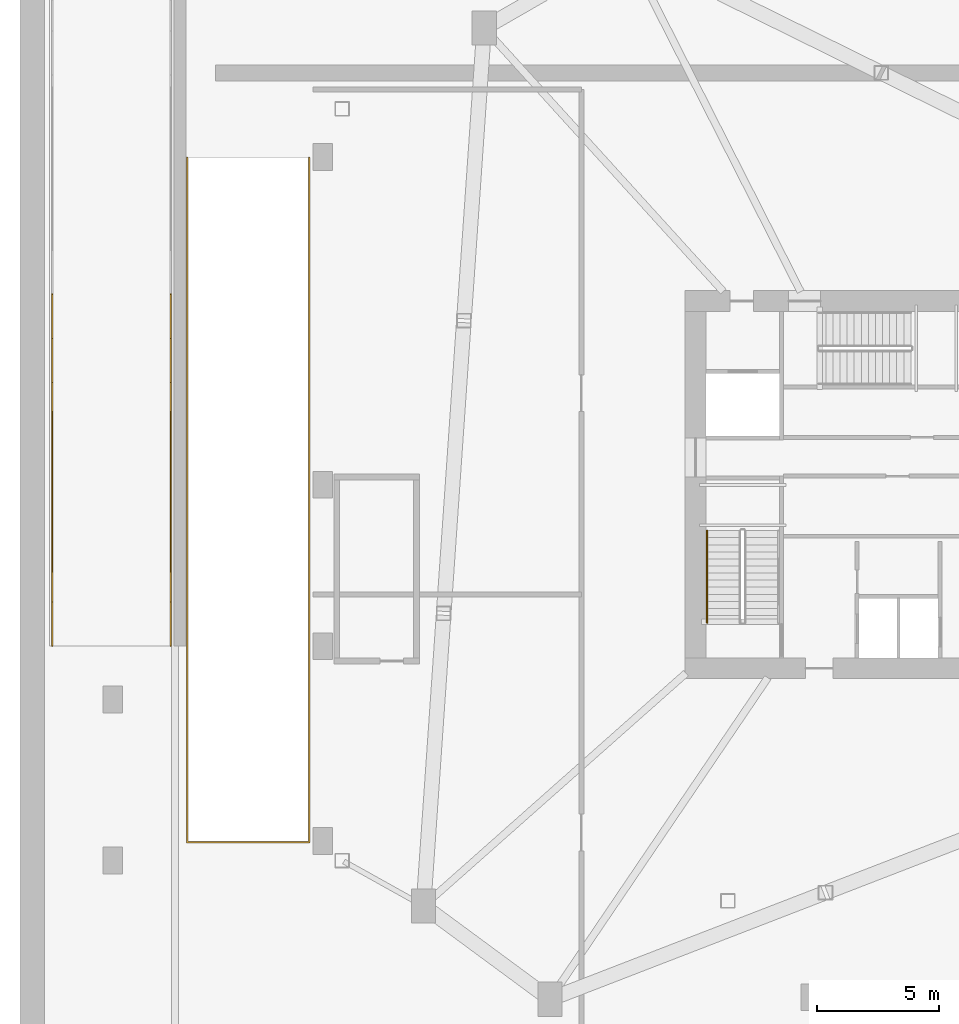
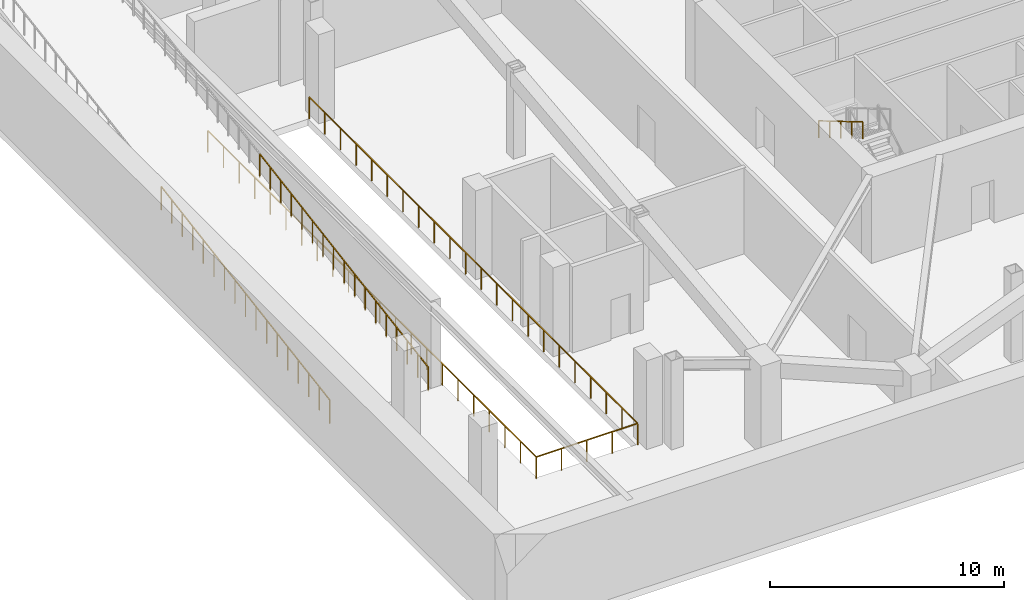
# One storey, part 7 of 9: 18 railings.
"""IFC4 building model written with IfcOpenShell, lengths in metres."""

from ifc_helpers import new_model, si_unit, direction, frame, origin, origin_2d, place, context, subcontext, project, spatial, rectangle, extrude, material, type_object, element, save


model = new_model("IFC4")

# Units and contexts
model_context = context("Model", 3, precision=1e-05, world=origin(), true_north=direction((0.0, 1.0)))
body_context = subcontext(model_context, "Body", "Model", "MODEL_VIEW")
ifc_project = project(units=[si_unit("LENGTHUNIT", "METRE"), si_unit("AREAUNIT", "SQUARE_METRE"), si_unit("VOLUMEUNIT", "CUBIC_METRE"), si_unit("PLANEANGLEUNIT", "RADIAN"), si_unit("MASSUNIT", "GRAM", prefix="KILO")], contexts=[model_context])

# Site, building, storey
site_placement = place(None, origin())
site = spatial("IfcSite", under=ifc_project, at=site_placement, CompositionType="ELEMENT")
building_placement = place(site_placement, origin())
building = spatial("IfcBuilding", under=site, at=building_placement, Name="Olszyna Solenne Hotel", CompositionType="ELEMENT")
storey_placement = place(building_placement, frame((0.0, 0.0, -4.800048828125)))
storey = spatial("IfcBuildingStorey", under=building, at=storey_placement, Name="B01", CompositionType="ELEMENT", Elevation=-4.800048828125)

# Railings
ifc_material = material(Name="Steel S355J2", Category="steel")
railing_type_1 = type_object("IfcRailingType", Name="GR-115", PredefinedType="BALUSTRADE", material=ifc_material)
railing_1_placement = place(storey_placement, frame((8.85009765625, 40.0, 0.0)))
element("IfcRailing", 1, at=railing_1_placement, inside=storey, type_object=railing_type_1, Name="Basement ramp opening guard GR-B01-RMP", PredefinedType="BALUSTRADE", context=body_context, shape_type="SweptSolid", body=[
    extrude(rectangle(XDim=0.048095703125, YDim=0.048095703125, at=origin_2d()), frame((0.0, 0.0, 1.1259765625), z_axis=(0.0, -1.0, 0.0), x_axis=(1.0, 0.0, 0.0)), (0.0, 0.0, 1.0), 28.050048828125),
    extrude(rectangle(XDim=0.048095703125, YDim=0.048095703125, at=origin_2d()), frame((0.0, -28.050048828125, 1.1259765625), z_axis=(1.0, 0.0, 0.0), x_axis=(0.0, 1.0, 0.0)), (0.0, 0.0, 1.0), 5.0),
    extrude(rectangle(XDim=0.048095703125, YDim=0.048095703125, at=origin_2d()), frame((5.0, -28.050048828125, 1.1259765625), z_axis=(0.0, 1.0, 0.0), x_axis=(-1.0, 0.0, 0.0)), (0.0, 0.0, 1.0), 28.050048828125),
    extrude(rectangle(XDim=0.0419921875, YDim=0.0419921875, at=origin_2d()), origin(), (0.0, 0.0, 1.0), 1.101806640625),
    extrude(rectangle(XDim=0.0419921875, YDim=0.0419921875, at=origin_2d()), frame((0.0, -1.335693359375, 0.0)), (0.0, 0.0, 1.0), 1.101806640625),
    extrude(rectangle(XDim=0.0419921875, YDim=0.0419921875, at=origin_2d()), frame((0.0, -2.67138671875, 0.0)), (0.0, 0.0, 1.0), 1.101806640625),
    extrude(rectangle(XDim=0.0419921875, YDim=0.0419921875, at=origin_2d()), frame((0.0, -4.007080078125, 0.0)), (0.0, 0.0, 1.0), 1.101806640625),
    extrude(rectangle(XDim=0.0419921875, YDim=0.0419921875, at=origin_2d()), frame((0.0, -5.3427734375, 0.0)), (0.0, 0.0, 1.0), 1.101806640625),
    extrude(rectangle(XDim=0.0419921875, YDim=0.0419921875, at=origin_2d()), frame((0.0, -6.678466796875, 0.0)), (0.0, 0.0, 1.0), 1.101806640625),
    extrude(rectangle(XDim=0.0419921875, YDim=0.0419921875, at=origin_2d()), frame((0.0, -8.014404296875, 0.0)), (0.0, 0.0, 1.0), 1.101806640625),
    extrude(rectangle(XDim=0.0419921875, YDim=0.0419921875, at=origin_2d()), frame((0.0, -9.35009765625, 0.0)), (0.0, 0.0, 1.0), 1.101806640625),
    extrude(rectangle(XDim=0.0419921875, YDim=0.0419921875, at=origin_2d()), frame((0.0, -10.685791015625, 0.0)), (0.0, 0.0, 1.0), 1.101806640625),
    extrude(rectangle(XDim=0.0419921875, YDim=0.0419921875, at=origin_2d()), frame((0.0, -12.021484375, 0.0)), (0.0, 0.0, 1.0), 1.101806640625),
    extrude(rectangle(XDim=0.0419921875, YDim=0.0419921875, at=origin_2d()), frame((0.0, -13.357177734375, 0.0)), (0.0, 0.0, 1.0), 1.101806640625),
    extrude(rectangle(XDim=0.0419921875, YDim=0.0419921875, at=origin_2d()), frame((0.0, -14.69287109375, 0.0)), (0.0, 0.0, 1.0), 1.101806640625),
    extrude(rectangle(XDim=0.0419921875, YDim=0.0419921875, at=origin_2d()), frame((0.0, -16.028564453125, 0.0)), (0.0, 0.0, 1.0), 1.101806640625),
    extrude(rectangle(XDim=0.0419921875, YDim=0.0419921875, at=origin_2d()), frame((0.0, -17.3642578125, 0.0)), (0.0, 0.0, 1.0), 1.101806640625),
    extrude(rectangle(XDim=0.0419921875, YDim=0.0419921875, at=origin_2d()), frame((0.0, -18.699951171875, 0.0)), (0.0, 0.0, 1.0), 1.101806640625),
    extrude(rectangle(XDim=0.0419921875, YDim=0.0419921875, at=origin_2d()), frame((0.0, -20.03564453125, 0.0)), (0.0, 0.0, 1.0), 1.101806640625),
    extrude(rectangle(XDim=0.0419921875, YDim=0.0419921875, at=origin_2d()), frame((0.0, -21.37158203125, 0.0)), (0.0, 0.0, 1.0), 1.101806640625),
    extrude(rectangle(XDim=0.0419921875, YDim=0.0419921875, at=origin_2d()), frame((0.0, -22.707275390625, 0.0)), (0.0, 0.0, 1.0), 1.101806640625),
    extrude(rectangle(XDim=0.0419921875, YDim=0.0419921875, at=origin_2d()), frame((0.0, -24.04296875, 0.0)), (0.0, 0.0, 1.0), 1.101806640625),
    extrude(rectangle(XDim=0.0419921875, YDim=0.0419921875, at=origin_2d()), frame((0.0, -25.378662109375, 0.0)), (0.0, 0.0, 1.0), 1.101806640625),
    extrude(rectangle(XDim=0.0419921875, YDim=0.0419921875, at=origin_2d()), frame((0.0, -26.71435546875, 0.0)), (0.0, 0.0, 1.0), 1.101806640625),
    extrude(rectangle(XDim=0.0419921875, YDim=0.0419921875, at=origin_2d()), frame((0.0, -28.050048828125, 0.0)), (0.0, 0.0, 1.0), 1.101806640625),
    extrude(rectangle(XDim=0.0419921875, YDim=0.0419921875, at=origin_2d()), frame((1.25, -28.050048828125, 0.0)), (0.0, 0.0, 1.0), 1.101806640625),
    extrude(rectangle(XDim=0.0419921875, YDim=0.0419921875, at=origin_2d()), frame((2.5, -28.050048828125, 0.0)), (0.0, 0.0, 1.0), 1.101806640625),
    extrude(rectangle(XDim=0.0419921875, YDim=0.0419921875, at=origin_2d()), frame((3.75, -28.050048828125, 0.0)), (0.0, 0.0, 1.0), 1.101806640625),
    extrude(rectangle(XDim=0.0419921875, YDim=0.0419921875, at=origin_2d()), frame((5.0, -28.050048828125, 0.0)), (0.0, 0.0, 1.0), 1.101806640625),
    extrude(rectangle(XDim=0.0419921875, YDim=0.0419921875, at=origin_2d()), frame((5.0, -26.71435546875, 0.0)), (0.0, 0.0, 1.0), 1.101806640625),
    extrude(rectangle(XDim=0.0419921875, YDim=0.0419921875, at=origin_2d()), frame((5.0, -25.378662109375, 0.0)), (0.0, 0.0, 1.0), 1.101806640625),
    extrude(rectangle(XDim=0.0419921875, YDim=0.0419921875, at=origin_2d()), frame((5.0, -24.04296875, 0.0)), (0.0, 0.0, 1.0), 1.101806640625),
    extrude(rectangle(XDim=0.0419921875, YDim=0.0419921875, at=origin_2d()), frame((5.0, -22.707275390625, 0.0)), (0.0, 0.0, 1.0), 1.101806640625),
    extrude(rectangle(XDim=0.0419921875, YDim=0.0419921875, at=origin_2d()), frame((5.0, -21.37158203125, 0.0)), (0.0, 0.0, 1.0), 1.101806640625),
    extrude(rectangle(XDim=0.0419921875, YDim=0.0419921875, at=origin_2d()), frame((5.0, -20.03564453125, 0.0)), (0.0, 0.0, 1.0), 1.101806640625),
    extrude(rectangle(XDim=0.0419921875, YDim=0.0419921875, at=origin_2d()), frame((5.0, -18.699951171875, 0.0)), (0.0, 0.0, 1.0), 1.101806640625),
    extrude(rectangle(XDim=0.0419921875, YDim=0.0419921875, at=origin_2d()), frame((5.0, -17.3642578125, 0.0)), (0.0, 0.0, 1.0), 1.101806640625),
    extrude(rectangle(XDim=0.0419921875, YDim=0.0419921875, at=origin_2d()), frame((5.0, -16.028564453125, 0.0)), (0.0, 0.0, 1.0), 1.101806640625),
    extrude(rectangle(XDim=0.0419921875, YDim=0.0419921875, at=origin_2d()), frame((5.0, -14.69287109375, 0.0)), (0.0, 0.0, 1.0), 1.101806640625),
    extrude(rectangle(XDim=0.0419921875, YDim=0.0419921875, at=origin_2d()), frame((5.0, -13.357177734375, 0.0)), (0.0, 0.0, 1.0), 1.101806640625),
    extrude(rectangle(XDim=0.0419921875, YDim=0.0419921875, at=origin_2d()), frame((5.0, -12.021484375, 0.0)), (0.0, 0.0, 1.0), 1.101806640625),
    extrude(rectangle(XDim=0.0419921875, YDim=0.0419921875, at=origin_2d()), frame((5.0, -10.685791015625, 0.0)), (0.0, 0.0, 1.0), 1.101806640625),
    extrude(rectangle(XDim=0.0419921875, YDim=0.0419921875, at=origin_2d()), frame((5.0, -9.35009765625, 0.0)), (0.0, 0.0, 1.0), 1.101806640625),
    extrude(rectangle(XDim=0.0419921875, YDim=0.0419921875, at=origin_2d()), frame((5.0, -8.014404296875, 0.0)), (0.0, 0.0, 1.0), 1.101806640625),
    extrude(rectangle(XDim=0.0419921875, YDim=0.0419921875, at=origin_2d()), frame((5.0, -6.678466796875, 0.0)), (0.0, 0.0, 1.0), 1.101806640625),
    extrude(rectangle(XDim=0.0419921875, YDim=0.0419921875, at=origin_2d()), frame((5.0, -5.3427734375, 0.0)), (0.0, 0.0, 1.0), 1.101806640625),
    extrude(rectangle(XDim=0.0419921875, YDim=0.0419921875, at=origin_2d()), frame((5.0, -4.007080078125, 0.0)), (0.0, 0.0, 1.0), 1.101806640625),
    extrude(rectangle(XDim=0.0419921875, YDim=0.0419921875, at=origin_2d()), frame((5.0, -2.67138671875, 0.0)), (0.0, 0.0, 1.0), 1.101806640625),
    extrude(rectangle(XDim=0.0419921875, YDim=0.0419921875, at=origin_2d()), frame((5.0, -1.335693359375, 0.0)), (0.0, 0.0, 1.0), 1.101806640625),
    extrude(rectangle(XDim=0.0419921875, YDim=0.0419921875, at=origin_2d()), frame((5.0, 0.0, 0.0)), (0.0, 0.0, 1.0), 1.101806640625),
])
for number, where, name in (
    (2, (3.320068359375, 20.0, -0.079833984375), "Vehicle ramp RFL-V02 W edge guard GR-V2W-01"),
    (3, (8.179931640625, 20.0, -0.079833984375), "Vehicle ramp RFL-V02 E edge guard GR-V2E-01"),
):
    element("IfcRailing", number, at=place(storey_placement, frame(where)), inside=storey, type_object=railing_type_1, Name=name, PredefinedType="BALUSTRADE", context=body_context, shape_type="SweptSolid", body=[
        extrude(rectangle(XDim=0.048095703125, YDim=0.048095703125, at=origin_2d()), frame((0.0, 0.0, 1.22607421875), z_axis=(0.0, 0.9864119972, 0.164290510316), x_axis=(-1.0, 0.0, 0.0)), (0.0, 0.0, 1.0), 1.824951171875),
        extrude(rectangle(XDim=0.0419921875, YDim=0.0419921875, at=origin_2d()), origin(), (0.0, 0.0, 1.0), 1.201904296875),
        extrude(rectangle(XDim=0.0419921875, YDim=0.0419921875, at=origin_2d()), frame((0.0, 0.89990234375, 0.14990234375)), (0.0, 0.0, 1.0), 1.201904296875),
        extrude(rectangle(XDim=0.0419921875, YDim=0.0419921875, at=origin_2d()), frame((0.0, 1.800048828125, 0.2998046875)), (0.0, 0.0, 1.0), 1.201904296875),
    ])
for number, where, name in (
    (4, (3.320068359375, 21.800048828125, 0.219970703125), "Vehicle ramp RFL-V02 W edge guard GR-V2W-02"),
    (5, (8.179931640625, 21.800048828125, 0.219970703125), "Vehicle ramp RFL-V02 E edge guard GR-V2E-02"),
):
    element("IfcRailing", number, at=place(storey_placement, frame(where)), inside=storey, type_object=railing_type_1, Name=name, PredefinedType="BALUSTRADE", context=body_context, shape_type="SweptSolid", body=[
        extrude(rectangle(XDim=0.048095703125, YDim=0.048095703125, at=origin_2d()), frame((0.0, 0.0, 1.22607421875), z_axis=(0.0, 0.986390307807, 0.164420681988), x_axis=(-1.0, 0.0, 0.0)), (0.0, 0.0, 1.0), 1.824951171875),
        extrude(rectangle(XDim=0.0419921875, YDim=0.0419921875, at=origin_2d()), origin(), (0.0, 0.0, 1.0), 1.201904296875),
        extrude(rectangle(XDim=0.0419921875, YDim=0.0419921875, at=origin_2d()), frame((0.0, 0.89990234375, 0.14990234375)), (0.0, 0.0, 1.0), 1.201904296875),
        extrude(rectangle(XDim=0.0419921875, YDim=0.0419921875, at=origin_2d()), frame((0.0, 1.800048828125, 0.300048828125)), (0.0, 0.0, 1.0), 1.201904296875),
    ])
for number, where, name in (
    (6, (3.320068359375, 23.60009765625, 0.52001953125), "Vehicle ramp RFL-V02 W edge guard GR-V2W-03"),
    (7, (8.179931640625, 23.60009765625, 0.52001953125), "Vehicle ramp RFL-V02 E edge guard GR-V2E-03"),
):
    element("IfcRailing", number, at=place(storey_placement, frame(where)), inside=storey, type_object=railing_type_1, Name=name, PredefinedType="BALUSTRADE", context=body_context, shape_type="SweptSolid", body=[
        extrude(rectangle(XDim=0.048095703125, YDim=0.048095703125, at=origin_2d()), frame((0.0, 0.0, 1.22607421875), z_axis=(0.0, 0.986386690349, 0.164442382317), x_axis=(-1.0, 0.0, 0.0)), (0.0, 0.0, 1.0), 1.82470703125),
        extrude(rectangle(XDim=0.0419921875, YDim=0.0419921875, at=origin_2d()), origin(), (0.0, 0.0, 1.0), 1.201904296875),
        extrude(rectangle(XDim=0.0419921875, YDim=0.0419921875, at=origin_2d()), frame((0.0, 0.89990234375, 0.14990234375)), (0.0, 0.0, 1.0), 1.201904296875),
        extrude(rectangle(XDim=0.0419921875, YDim=0.0419921875, at=origin_2d()), frame((0.0, 1.7998046875, 0.300048828125)), (0.0, 0.0, 1.0), 1.201904296875),
    ])
for number, where, name in (
    (8, (3.320068359375, 25.39990234375, 0.820068359375), "Vehicle ramp RFL-V02 W edge guard GR-V2W-04"),
    (9, (8.179931640625, 25.39990234375, 0.820068359375), "Vehicle ramp RFL-V02 E edge guard GR-V2E-04"),
    (10, (3.320068359375, 27.199951171875, 1.1201171875), "Vehicle ramp RFL-V02 W edge guard GR-V2W-05"),
    (11, (8.179931640625, 27.199951171875, 1.1201171875), "Vehicle ramp RFL-V02 E edge guard GR-V2E-05"),
):
    element("IfcRailing", number, at=place(storey_placement, frame(where)), inside=storey, type_object=railing_type_1, Name=name, PredefinedType="BALUSTRADE", context=body_context, shape_type="SweptSolid", body=[
        extrude(rectangle(XDim=0.048095703125, YDim=0.048095703125, at=origin_2d()), frame((0.0, 0.0, 1.22607421875), z_axis=(0.0, 0.986390307807, 0.164420681988), x_axis=(-1.0, 0.0, 0.0)), (0.0, 0.0, 1.0), 1.824951171875),
        extrude(rectangle(XDim=0.0419921875, YDim=0.0419921875, at=origin_2d()), origin(), (0.0, 0.0, 1.0), 1.201904296875),
        extrude(rectangle(XDim=0.0419921875, YDim=0.0419921875, at=origin_2d()), frame((0.0, 0.89990234375, 0.14990234375)), (0.0, 0.0, 1.0), 1.201904296875),
        extrude(rectangle(XDim=0.0419921875, YDim=0.0419921875, at=origin_2d()), frame((0.0, 1.800048828125, 0.300048828125)), (0.0, 0.0, 1.0), 1.201904296875),
    ])
for number, where, name in (
    (12, (3.320068359375, 29.0, 1.420166015625), "Vehicle ramp RFL-V02 W edge guard GR-V2W-06"),
    (13, (8.179931640625, 29.0, 1.420166015625), "Vehicle ramp RFL-V02 E edge guard GR-V2E-06"),
):
    element("IfcRailing", number, at=place(storey_placement, frame(where)), inside=storey, type_object=railing_type_1, Name=name, PredefinedType="BALUSTRADE", context=body_context, shape_type="SweptSolid", body=[
        extrude(rectangle(XDim=0.048095703125, YDim=0.048095703125, at=origin_2d()), frame((0.0, 0.0, 1.22607421875), z_axis=(0.0, 0.9864119972, 0.164290510316), x_axis=(-1.0, 0.0, 0.0)), (0.0, 0.0, 1.0), 1.824951171875),
        extrude(rectangle(XDim=0.0419921875, YDim=0.0419921875, at=origin_2d()), origin(), (0.0, 0.0, 1.0), 1.201904296875),
        extrude(rectangle(XDim=0.0419921875, YDim=0.0419921875, at=origin_2d()), frame((0.0, 0.89990234375, 0.14990234375)), (0.0, 0.0, 1.0), 1.201904296875),
        extrude(rectangle(XDim=0.0419921875, YDim=0.0419921875, at=origin_2d()), frame((0.0, 1.800048828125, 0.2998046875)), (0.0, 0.0, 1.0), 1.201904296875),
    ])
for number, where, name in (
    (14, (3.320068359375, 30.800048828125, 1.719970703125), "Vehicle ramp RFL-V02 W edge guard GR-V2W-07"),
    (15, (8.179931640625, 30.800048828125, 1.719970703125), "Vehicle ramp RFL-V02 E edge guard GR-V2E-07"),
):
    element("IfcRailing", number, at=place(storey_placement, frame(where)), inside=storey, type_object=railing_type_1, Name=name, PredefinedType="BALUSTRADE", context=body_context, shape_type="SweptSolid", body=[
        extrude(rectangle(XDim=0.048095703125, YDim=0.048095703125, at=origin_2d()), frame((0.0, 0.0, 1.22607421875), z_axis=(0.0, 0.986390307807, 0.164420681988), x_axis=(-1.0, 0.0, 0.0)), (0.0, 0.0, 1.0), 1.824951171875),
        extrude(rectangle(XDim=0.0419921875, YDim=0.0419921875, at=origin_2d()), origin(), (0.0, 0.0, 1.0), 1.201904296875),
        extrude(rectangle(XDim=0.0419921875, YDim=0.0419921875, at=origin_2d()), frame((0.0, 0.89990234375, 0.14990234375)), (0.0, 0.0, 1.0), 1.201904296875),
        extrude(rectangle(XDim=0.0419921875, YDim=0.0419921875, at=origin_2d()), frame((0.0, 1.800048828125, 0.300048828125)), (0.0, 0.0, 1.0), 1.201904296875),
    ])
for number, where, name in (
    (16, (3.320068359375, 32.60009765625, 2.02001953125), "Vehicle ramp RFL-V02 W edge guard GR-V2W-08"),
    (17, (8.179931640625, 32.60009765625, 2.02001953125), "Vehicle ramp RFL-V02 E edge guard GR-V2E-08"),
):
    element("IfcRailing", number, at=place(storey_placement, frame(where)), inside=storey, type_object=railing_type_1, Name=name, PredefinedType="BALUSTRADE", context=body_context, shape_type="SweptSolid", body=[
        extrude(rectangle(XDim=0.048095703125, YDim=0.048095703125, at=origin_2d()), frame((0.0, 0.0, 1.22607421875), z_axis=(0.0, 0.986386690349, 0.164442382317), x_axis=(-1.0, 0.0, 0.0)), (0.0, 0.0, 1.0), 1.82470703125),
        extrude(rectangle(XDim=0.0419921875, YDim=0.0419921875, at=origin_2d()), origin(), (0.0, 0.0, 1.0), 1.201904296875),
        extrude(rectangle(XDim=0.0419921875, YDim=0.0419921875, at=origin_2d()), frame((0.0, 0.89990234375, 0.14990234375)), (0.0, 0.0, 1.0), 1.201904296875),
        extrude(rectangle(XDim=0.0419921875, YDim=0.0419921875, at=origin_2d()), frame((0.0, 1.7998046875, 0.300048828125)), (0.0, 0.0, 1.0), 1.201904296875),
    ])
railing_type_2 = type_object("IfcRailingType", Name="HR-090", PredefinedType="HANDRAIL", material=ifc_material)
railing_2_placement = place(storey_placement, frame((30.14990234375, 24.719970703125, 2.571533203125)))
element("IfcRailing", 18, at=railing_2_placement, inside=storey, type_object=railing_type_2, Name="B01 ST1 stair handrail 2", PredefinedType="HANDRAIL", context=body_context, shape_type="SweptSolid", body=[
    extrude(rectangle(XDim=0.048095703125, YDim=0.048095703125, at=origin_2d()), frame((0.0, 0.0, 0.8759765625), z_axis=(0.0, -0.860848830602, 0.508860777473), x_axis=(1.0, 0.0, 0.0)), (0.0, 0.0, 1.0), 4.37939453125),
    extrude(rectangle(XDim=0.0419921875, YDim=0.0419921875, at=origin_2d()), origin(), (0.0, 0.0, 1.0), 0.851806640625),
    extrude(rectangle(XDim=0.0419921875, YDim=0.0419921875, at=origin_2d()), frame((0.0, -0.9423828125, 0.55712890625)), (0.0, 0.0, 1.0), 0.851806640625),
    extrude(rectangle(XDim=0.0419921875, YDim=0.0419921875, at=origin_2d()), frame((0.0, -1.885009765625, 1.1142578125)), (0.0, 0.0, 1.0), 0.851806640625),
    extrude(rectangle(XDim=0.0419921875, YDim=0.0419921875, at=origin_2d()), frame((0.0, -2.82763671875, 1.67138671875)), (0.0, 0.0, 1.0), 0.851806640625),
    extrude(rectangle(XDim=0.0419921875, YDim=0.0419921875, at=origin_2d()), frame((0.0, -3.77001953125, 2.228515625)), (0.0, 0.0, 1.0), 0.851806640625),
])

save(model, "model.ifc")
